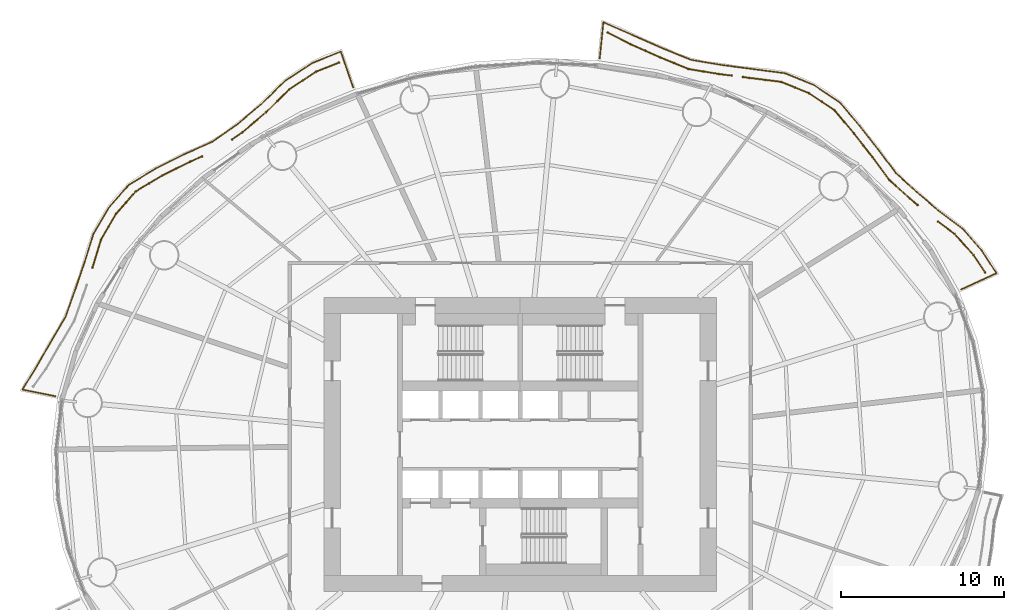
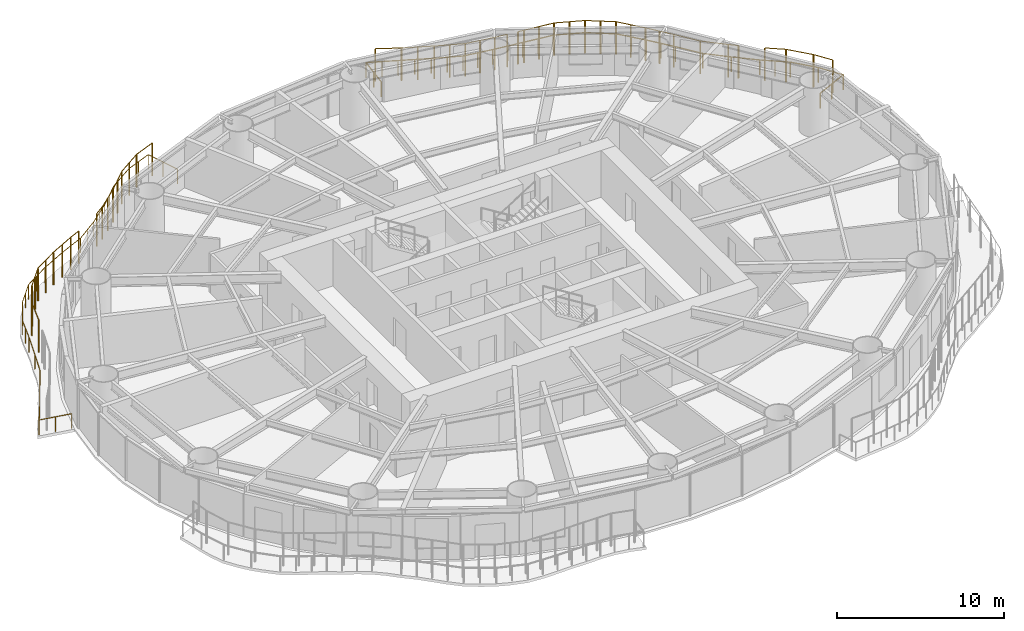
# One storey, part 16 of 16: 7 railings.
"""IFC4 building model written with IfcOpenShell, lengths in metres."""

from ifc_helpers import new_model, si_unit, direction, frame, origin, origin_2d, place, context, subcontext, project, spatial, circle, extrude, material, type_object, element, save


model = new_model("IFC4")

# Units and contexts
model_context = context("Model", 3, precision=1e-05, world=origin(), true_north=direction((0.0, 1.0)))
body_context = subcontext(model_context, "Body", "Model", "MODEL_VIEW")
ifc_project = project(units=[si_unit("LENGTHUNIT", "METRE"), si_unit("AREAUNIT", "SQUARE_METRE"), si_unit("VOLUMEUNIT", "CUBIC_METRE"), si_unit("PLANEANGLEUNIT", "RADIAN"), si_unit("MASSUNIT", "GRAM", prefix="KILO")], contexts=[model_context])

# Site, building, storey
site_placement = place(None, origin())
site = spatial("IfcSite", under=ifc_project, at=site_placement, CompositionType="ELEMENT")
building_placement = place(site_placement, origin())
building = spatial("IfcBuilding", under=site, at=building_placement, Name="Vermilion Reach Broadcast Tower", CompositionType="ELEMENT")
storey_placement = place(building_placement, frame((0.0, 0.0, 61.89990234375)))
storey = spatial("IfcBuildingStorey", under=building, at=storey_placement, Name="L12", CompositionType="ELEMENT", Elevation=61.89990234375)

# Railings
ifc_material_1 = material(Name="Terracotta baguette", Category="masonry")
railing_type_1 = type_object("IfcRailingType", Name="BAGUETTE SCREEN", PredefinedType="USERDEFINED", material=ifc_material_1)
railing_1_placement = place(storey_placement, frame((22.439453125, 10.52392578125, 0.0)))
element("IfcRailing", 1, at=railing_1_placement, inside=storey, type_object=railing_type_1, Name="Baguette screen L12 group 1 part 1", ObjectType="BAGUETTE SCREEN", PredefinedType="USERDEFINED", context=body_context, shape_type="SweptSolid", body=[
    extrude(circle(Radius=0.030029296875, at=origin_2d()), frame((0.0, 0.0, 2.369873046875), z_axis=(-0.558856300905, 0.829264514458, 0.0), x_axis=(-0.829264514458, -0.558856300905, 0.0)), (0.0, 0.0, 1.0), 1.28564453125),
    extrude(circle(Radius=0.030029296875, at=origin_2d()), frame((-0.718505859375, 1.066162109375, 2.369873046875), z_axis=(-0.664565199581, 0.747230282781, 0.0), x_axis=(-0.747230282781, -0.664565199581, 0.0)), (0.0, 0.0, 1.0), 1.730712890625),
    extrude(circle(Radius=0.030029296875, at=origin_2d()), frame((-1.86865234375, 2.359375, 2.369873046875), z_axis=(-0.803369086588, 0.59548141089, 0.0), x_axis=(-0.59548141089, -0.803369086588, 0.0)), (0.0, 0.0, 1.0), 1.264892578125),
    extrude(circle(Radius=0.050048828125, at=origin_2d()), origin(), (0.0, 0.0, 1.0), 2.33984375),
    extrude(circle(Radius=0.050048828125, at=origin_2d()), frame((-0.718505859375, 1.066162109375, 0.0)), (0.0, 0.0, 1.0), 2.33984375),
    extrude(circle(Radius=0.050048828125, at=origin_2d()), frame((-1.86865234375, 2.359375, 0.0)), (0.0, 0.0, 1.0), 2.33984375),
    extrude(circle(Radius=0.050048828125, at=origin_2d()), frame((-2.884765625, 3.112548828125, 0.0)), (0.0, 0.0, 1.0), 2.33984375),
])
railing_2_placement = place(storey_placement, frame((18.31201171875, 14.642578125, 0.0)))
element("IfcRailing", 2, at=railing_2_placement, inside=storey, type_object=railing_type_1, Name="Baguette screen L12 group 1 part 2", ObjectType="BAGUETTE SCREEN", PredefinedType="USERDEFINED", context=body_context, shape_type="SweptSolid", body=[
    extrude(circle(Radius=0.030029296875, at=origin_2d()), frame((0.0, 0.0, 2.369873046875), z_axis=(-0.763862282731, 0.645379278425, 0.0), x_axis=(-0.645379278425, -0.763862282731, 0.0)), (0.0, 0.0, 1.0), 0.622314453125),
    extrude(circle(Radius=0.030029296875, at=origin_2d()), frame((-0.475341796875, 0.401611328125, 2.369873046875), z_axis=(-0.74182147323, 0.670597421599, 0.0), x_axis=(-0.670597421599, -0.74182147323, 0.0)), (0.0, 0.0, 1.0), 1.7001953125),
    extrude(circle(Radius=0.030029296875, at=origin_2d()), frame((-1.736572265625, 1.541748046875, 2.369873046875), z_axis=(-0.595059324519, 0.803681778009, 0.0), x_axis=(-0.803681778009, -0.595059324519, 0.0)), (0.0, 0.0, 1.0), 1.735595703125),
    extrude(circle(Radius=0.030029296875, at=origin_2d()), frame((-2.769287109375, 2.9365234375, 2.369873046875), z_axis=(-0.61590383558, 0.787821340989, 0.0), x_axis=(-0.787821340989, -0.61590383558, 0.0)), (0.0, 0.0, 1.0), 1.823486328125),
    extrude(circle(Radius=0.030029296875, at=origin_2d()), frame((-3.892333984375, 4.373046875, 2.369873046875), z_axis=(-0.641469850719, 0.767148245529, 0.0), x_axis=(-0.767148245529, -0.641469850719, 0.0)), (0.0, 0.0, 1.0), 1.866943359375),
    extrude(circle(Radius=0.030029296875, at=origin_2d()), frame((-5.08984375, 5.80517578125, 2.369873046875), z_axis=(-0.830495521261, 0.557025303883, 0.0), x_axis=(-0.557025303883, -0.830495521261, 0.0)), (0.0, 0.0, 1.0), 1.864013671875),
    extrude(circle(Radius=0.030029296875, at=origin_2d()), frame((-6.637939453125, 6.843505859375, 2.369873046875), z_axis=(-0.926683706529, 0.375842131824, 0.0), x_axis=(-0.375842131824, -0.926683706529, 0.0)), (0.0, 0.0, 1.0), 1.861083984375),
    extrude(circle(Radius=0.030029296875, at=origin_2d()), frame((-8.362548828125, 7.54296875, 2.369873046875), z_axis=(-0.992181480113, 0.124803487614, 0.0), x_axis=(-0.124803487614, -0.992181480113, 0.0)), (0.0, 0.0, 1.0), 1.954345703125),
    extrude(circle(Radius=0.030029296875, at=origin_2d()), frame((-10.301513671875, 7.786865234375, 2.369873046875), z_axis=(-0.992181088968, 0.124806597158, 0.0), x_axis=(-0.124806597158, -0.992181088968, 0.0)), (0.0, 0.0, 1.0), 0.38916015625),
    extrude(circle(Radius=0.050048828125, at=origin_2d()), origin(), (0.0, 0.0, 1.0), 2.33984375),
    extrude(circle(Radius=0.050048828125, at=origin_2d()), frame((-0.475341796875, 0.401611328125, 0.0)), (0.0, 0.0, 1.0), 2.33984375),
    extrude(circle(Radius=0.050048828125, at=origin_2d()), frame((-1.736572265625, 1.541748046875, 0.0)), (0.0, 0.0, 1.0), 2.33984375),
    extrude(circle(Radius=0.050048828125, at=origin_2d()), frame((-2.769287109375, 2.9365234375, 0.0)), (0.0, 0.0, 1.0), 2.33984375),
    extrude(circle(Radius=0.050048828125, at=origin_2d()), frame((-3.330810546875, 3.65478515625, 0.0)), (0.0, 0.0, 1.0), 2.33984375),
    extrude(circle(Radius=0.050048828125, at=origin_2d()), frame((-3.892333984375, 4.373046875, 0.0)), (0.0, 0.0, 1.0), 2.33984375),
    extrude(circle(Radius=0.050048828125, at=origin_2d()), frame((-4.4912109375, 5.089111328125, 0.0)), (0.0, 0.0, 1.0), 2.33984375),
    extrude(circle(Radius=0.050048828125, at=origin_2d()), frame((-5.08984375, 5.80517578125, 0.0)), (0.0, 0.0, 1.0), 2.33984375),
    extrude(circle(Radius=0.050048828125, at=origin_2d()), frame((-5.86376953125, 6.32421875, 0.0)), (0.0, 0.0, 1.0), 2.33984375),
    extrude(circle(Radius=0.050048828125, at=origin_2d()), frame((-6.637939453125, 6.843505859375, 0.0)), (0.0, 0.0, 1.0), 2.33984375),
    extrude(circle(Radius=0.050048828125, at=origin_2d()), frame((-7.500244140625, 7.193359375, 0.0)), (0.0, 0.0, 1.0), 2.33984375),
    extrude(circle(Radius=0.050048828125, at=origin_2d()), frame((-8.362548828125, 7.54296875, 0.0)), (0.0, 0.0, 1.0), 2.33984375),
    extrude(circle(Radius=0.050048828125, at=origin_2d()), frame((-9.33203125, 7.6650390625, 0.0)), (0.0, 0.0, 1.0), 2.33984375),
    extrude(circle(Radius=0.050048828125, at=origin_2d()), frame((-10.301513671875, 7.786865234375, 0.0)), (0.0, 0.0, 1.0), 2.33984375),
    extrude(circle(Radius=0.050048828125, at=origin_2d()), frame((-10.687744140625, 7.83544921875, 0.0)), (0.0, 0.0, 1.0), 2.33984375),
])
railing_3_placement = place(storey_placement, frame((6.932861328125, 22.565185546875, 0.0)))
element("IfcRailing", 3, at=railing_3_placement, inside=storey, type_object=railing_type_1, Name="Baguette screen L12 group 1 part 3", ObjectType="BAGUETTE SCREEN", PredefinedType="USERDEFINED", context=body_context, shape_type="SweptSolid", body=[
    extrude(circle(Radius=0.030029296875, at=origin_2d()), frame((0.0, 0.0, 2.369873046875), z_axis=(-0.992141794068, 0.1251185856, 0.0), x_axis=(-0.1251185856, -0.992141794068, 0.0)), (0.0, 0.0, 1.0), 0.803955078125),
    extrude(circle(Radius=0.030029296875, at=origin_2d()), frame((-0.797607421875, 0.1005859375, 2.369873046875), z_axis=(-0.986537935222, 0.163532572805, 0.0), x_axis=(-0.163532572805, -0.986537935222, 0.0)), (0.0, 0.0, 1.0), 1.87353515625),
    extrude(circle(Radius=0.030029296875, at=origin_2d()), frame((-2.64599609375, 0.406982421875, 2.369873046875), z_axis=(-0.925269242185, 0.379310993073, 0.0), x_axis=(-0.379310993073, -0.925269242185, 0.0)), (0.0, 0.0, 1.0), 1.878173828125),
    extrude(circle(Radius=0.030029296875, at=origin_2d()), frame((-4.3837890625, 1.119384765625, 2.369873046875), z_axis=(-0.912690113777, 0.408652365972, 0.0), x_axis=(-0.408652365972, -0.912690113777, 0.0)), (0.0, 0.0, 1.0), 1.963134765625),
    extrude(circle(Radius=0.030029296875, at=origin_2d()), frame((-6.175537109375, 1.921630859375, 2.369873046875), z_axis=(-0.89124508085, 0.453522001517, 0.0), x_axis=(-0.453522001517, -0.89124508085, 0.0)), (0.0, 0.0, 1.0), 1.576171875),
    extrude(circle(Radius=0.050048828125, at=origin_2d()), origin(), (0.0, 0.0, 1.0), 2.33984375),
    extrude(circle(Radius=0.050048828125, at=origin_2d()), frame((-0.797607421875, 0.1005859375, 0.0)), (0.0, 0.0, 1.0), 2.33984375),
    extrude(circle(Radius=0.050048828125, at=origin_2d()), frame((-1.7216796875, 0.25390625, 0.0)), (0.0, 0.0, 1.0), 2.33984375),
    extrude(circle(Radius=0.050048828125, at=origin_2d()), frame((-2.64599609375, 0.406982421875, 0.0)), (0.0, 0.0, 1.0), 2.33984375),
    extrude(circle(Radius=0.050048828125, at=origin_2d()), frame((-3.514892578125, 0.76318359375, 0.0)), (0.0, 0.0, 1.0), 2.33984375),
    extrude(circle(Radius=0.050048828125, at=origin_2d()), frame((-4.3837890625, 1.119384765625, 0.0)), (0.0, 0.0, 1.0), 2.33984375),
    extrude(circle(Radius=0.050048828125, at=origin_2d()), frame((-5.27978515625, 1.5205078125, 0.0)), (0.0, 0.0, 1.0), 2.33984375),
    extrude(circle(Radius=0.050048828125, at=origin_2d()), frame((-6.175537109375, 1.921630859375, 0.0)), (0.0, 0.0, 1.0), 2.33984375),
    extrude(circle(Radius=0.050048828125, at=origin_2d()), frame((-7.580322265625, 2.636474609375, 0.0)), (0.0, 0.0, 1.0), 2.33984375),
])
railing_4_placement = place(storey_placement, frame((-17.095703125, 23.360107421875, 0.0)))
element("IfcRailing", 4, at=railing_4_placement, inside=storey, type_object=railing_type_1, Name="Baguette screen L12 group 2 part 1", ObjectType="BAGUETTE SCREEN", PredefinedType="USERDEFINED", context=body_context, shape_type="SweptSolid", body=[
    extrude(circle(Radius=0.030029296875, at=origin_2d()), frame((0.0, 0.0, 2.369873046875), z_axis=(-0.929247476399, -0.369457883399, 0.0), x_axis=(0.369457883399, -0.929247476399, 0.0)), (0.0, 0.0, 1.0), 1.50341796875),
    extrude(circle(Radius=0.030029296875, at=origin_2d()), frame((-1.39697265625, -0.555419921875, 2.369873046875), z_axis=(-0.833873570544, -0.551955494898, 0.0), x_axis=(0.551955494898, -0.833873570544, 0.0)), (0.0, 0.0, 1.0), 1.97265625),
    extrude(circle(Radius=0.030029296875, at=origin_2d()), frame((-3.0419921875, -1.644287109375, 2.369873046875), z_axis=(-0.711833969104, -0.702347777408, 0.0), x_axis=(0.702347777408, -0.711833969104, 0.0)), (0.0, 0.0, 1.0), 1.981689453125),
    extrude(circle(Radius=0.030029296875, at=origin_2d()), frame((-4.45263671875, -3.0361328125, 2.369873046875), z_axis=(-0.764178241333, -0.645005128254, 0.0), x_axis=(0.645005128254, -0.764178241333, 0.0)), (0.0, 0.0, 1.0), 1.892822265625),
    extrude(circle(Radius=0.030029296875, at=origin_2d()), frame((-5.899169921875, -4.257080078125, 2.369873046875), z_axis=(-0.817346388578, -0.576146579507, 0.0), x_axis=(0.576146579507, -0.817346388578, 0.0)), (0.0, 0.0, 1.0), 0.768310546875),
    extrude(circle(Radius=0.050048828125, at=origin_2d()), origin(), (0.0, 0.0, 1.0), 2.33984375),
    extrude(circle(Radius=0.050048828125, at=origin_2d()), frame((-1.39697265625, -0.555419921875, 0.0)), (0.0, 0.0, 1.0), 2.33984375),
    extrude(circle(Radius=0.050048828125, at=origin_2d()), frame((-2.219482421875, -1.099853515625, 0.0)), (0.0, 0.0, 1.0), 2.33984375),
    extrude(circle(Radius=0.050048828125, at=origin_2d()), frame((-3.0419921875, -1.644287109375, 0.0)), (0.0, 0.0, 1.0), 2.33984375),
    extrude(circle(Radius=0.050048828125, at=origin_2d()), frame((-3.747314453125, -2.34033203125, 0.0)), (0.0, 0.0, 1.0), 2.33984375),
    extrude(circle(Radius=0.050048828125, at=origin_2d()), frame((-4.45263671875, -3.0361328125, 0.0)), (0.0, 0.0, 1.0), 2.33984375),
    extrude(circle(Radius=0.050048828125, at=origin_2d()), frame((-5.17578125, -3.646484375, 0.0)), (0.0, 0.0, 1.0), 2.33984375),
    extrude(circle(Radius=0.050048828125, at=origin_2d()), frame((-5.899169921875, -4.257080078125, 0.0)), (0.0, 0.0, 1.0), 2.33984375),
    extrude(circle(Radius=0.050048828125, at=origin_2d()), frame((-6.527099609375, -4.69970703125, 0.0)), (0.0, 0.0, 1.0), 2.33984375),
])
railing_5_placement = place(storey_placement, frame((-25.462158203125, 17.62353515625, 0.0)))
element("IfcRailing", 5, at=railing_5_placement, inside=storey, type_object=railing_type_1, Name="Baguette screen L12 group 2 part 2", ObjectType="BAGUETTE SCREEN", PredefinedType="USERDEFINED", context=body_context, shape_type="SweptSolid", body=[
    extrude(circle(Radius=0.030029296875, at=origin_2d()), frame((0.0, 0.0, 2.369873046875), z_axis=(-0.915195254678, -0.403010726674, 0.0), x_axis=(0.403010726674, -0.915195254678, 0.0)), (0.0, 0.0, 1.0), 0.811767578125),
    extrude(circle(Radius=0.030029296875, at=origin_2d()), frame((-0.742919921875, -0.3271484375, 2.369873046875), z_axis=(-0.8958286056, -0.444399718035, 0.0), x_axis=(0.444399718035, -0.8958286056, 0.0)), (0.0, 0.0, 1.0), 1.87548828125),
    extrude(circle(Radius=0.030029296875, at=origin_2d()), frame((-2.423095703125, -1.16064453125, 2.369873046875), z_axis=(-0.85811524149, -0.513457137765, 0.0), x_axis=(0.513457137765, -0.85811524149, 0.0)), (0.0, 0.0, 1.0), 1.90185546875),
    extrude(circle(Radius=0.030029296875, at=origin_2d()), frame((-4.05517578125, -2.13720703125, 2.369873046875), z_axis=(-0.659083872996, -0.75206944384, 0.0), x_axis=(0.75206944384, -0.659083872996, 0.0)), (0.0, 0.0, 1.0), 1.819580078125),
    extrude(circle(Radius=0.030029296875, at=origin_2d()), frame((-5.25439453125, -3.505615234375, 2.369873046875), z_axis=(-0.505087300925, -0.863068258276, 0.0), x_axis=(0.863068258276, -0.505087300925, 0.0)), (0.0, 0.0, 1.0), 1.833984375),
    extrude(circle(Radius=0.030029296875, at=origin_2d()), frame((-6.1806640625, -5.08837890625, 2.369873046875), z_axis=(-0.291700565224, -0.956509686437, 0.0), x_axis=(0.956509686437, -0.291700565224, 0.0)), (0.0, 0.0, 1.0), 1.784423828125),
    extrude(circle(Radius=0.050048828125, at=origin_2d()), origin(), (0.0, 0.0, 1.0), 2.33984375),
    extrude(circle(Radius=0.050048828125, at=origin_2d()), frame((-0.742919921875, -0.3271484375, 0.0)), (0.0, 0.0, 1.0), 2.33984375),
    extrude(circle(Radius=0.050048828125, at=origin_2d()), frame((-1.5830078125, -0.743896484375, 0.0)), (0.0, 0.0, 1.0), 2.33984375),
    extrude(circle(Radius=0.050048828125, at=origin_2d()), frame((-2.423095703125, -1.16064453125, 0.0)), (0.0, 0.0, 1.0), 2.33984375),
    extrude(circle(Radius=0.050048828125, at=origin_2d()), frame((-3.2392578125, -1.64892578125, 0.0)), (0.0, 0.0, 1.0), 2.33984375),
    extrude(circle(Radius=0.050048828125, at=origin_2d()), frame((-4.05517578125, -2.13720703125, 0.0)), (0.0, 0.0, 1.0), 2.33984375),
    extrude(circle(Radius=0.050048828125, at=origin_2d()), frame((-4.65478515625, -2.8212890625, 0.0)), (0.0, 0.0, 1.0), 2.33984375),
    extrude(circle(Radius=0.050048828125, at=origin_2d()), frame((-5.25439453125, -3.505615234375, 0.0)), (0.0, 0.0, 1.0), 2.33984375),
    extrude(circle(Radius=0.050048828125, at=origin_2d()), frame((-5.717529296875, -4.296875, 0.0)), (0.0, 0.0, 1.0), 2.33984375),
    extrude(circle(Radius=0.050048828125, at=origin_2d()), frame((-6.1806640625, -5.08837890625, 0.0)), (0.0, 0.0, 1.0), 2.33984375),
    extrude(circle(Radius=0.050048828125, at=origin_2d()), frame((-6.701171875, -6.795166015625, 0.0)), (0.0, 0.0, 1.0), 2.33984375),
])
ifc_material_2 = material(Name="Stainless steel 316 balustrade", Category="steel")
railing_type_2 = type_object("IfcRailingType", Name="Balcony guard 1100", PredefinedType="BALUSTRADE", material=ifc_material_2)
railing_6_placement = place(storey_placement, frame((20.9638671875, 9.47998046875, 0.0)))
element("IfcRailing", 6, at=railing_6_placement, inside=storey, type_object=railing_type_2, Name="Balcony guard L12 group 1", PredefinedType="BALUSTRADE", context=body_context, shape_type="SweptSolid", body=[
    extrude(circle(Radius=0.02490234375, at=origin_2d()), frame((0.0, 0.0, 1.0751953125), z_axis=(0.907851389879, 0.419292086612, 0.0), x_axis=(-0.419292086612, 0.907851389879, 0.0)), (0.0, 0.0, 1.0), 2.382568359375),
    extrude(circle(Radius=0.02490234375, at=origin_2d()), frame((2.1630859375, 0.9990234375, 1.0751953125), z_axis=(-0.542281006063, 0.840197185465, 0.0), x_axis=(-0.840197185465, -0.542281006063, 0.0)), (0.0, 0.0, 1.0), 1.659423828125),
    extrude(circle(Radius=0.02490234375, at=origin_2d()), frame((1.26318359375, 2.393310546875, 1.0751953125), z_axis=(-0.661229882006, 0.750183339686, 0.0), x_axis=(-0.750183339686, -0.661229882006, 0.0)), (0.0, 0.0, 1.0), 1.77294921875),
    extrude(circle(Radius=0.02490234375, at=origin_2d()), frame((0.0908203125, 3.723388671875, 1.0751953125), z_axis=(-0.799167542734, 0.601108341849, 0.0), x_axis=(-0.601108341849, -0.799167542734, 0.0)), (0.0, 0.0, 1.0), 1.831787109375),
    extrude(circle(Radius=0.02490234375, at=origin_2d()), frame((-1.373046875, 4.824462890625, 1.0751953125), z_axis=(-0.7611584158, 0.648566007479, 0.0), x_axis=(-0.648566007479, -0.7611584158, 0.0)), (0.0, 0.0, 1.0), 1.73681640625),
    extrude(circle(Radius=0.02490234375, at=origin_2d()), frame((-2.695068359375, 5.950927734375, 1.0751953125), z_axis=(-0.740688206119, 0.671848927451, 0.0), x_axis=(-0.671848927451, -0.740688206119, 0.0)), (0.0, 0.0, 1.0), 1.741455078125),
    extrude(circle(Radius=0.02490234375, at=origin_2d()), frame((-3.98486328125, 7.120849609375, 1.0751953125), z_axis=(-0.598523658135, 0.801105130836, 0.0), x_axis=(-0.801105130836, -0.598523658135, 0.0)), (0.0, 0.0, 1.0), 1.77392578125),
    extrude(circle(Radius=0.02490234375, at=origin_2d()), frame((-5.046630859375, 8.5419921875, 1.0751953125), z_axis=(-0.61986960735, 0.784704829782, 0.0), x_axis=(-0.784704829782, -0.61986960735, 0.0)), (0.0, 0.0, 1.0), 1.86181640625),
    extrude(circle(Radius=0.02490234375, at=origin_2d()), frame((-6.20068359375, 10.0029296875, 1.0751953125), z_axis=(-0.645407156404, 0.763838728046, 0.0), x_axis=(-0.763838728046, -0.645407156404, 0.0)), (0.0, 0.0, 1.0), 1.90283203125),
    extrude(circle(Radius=0.02490234375, at=origin_2d()), frame((-7.4287109375, 11.456298828125, 1.0751953125), z_axis=(-0.831140352422, 0.55606268943, 0.0), x_axis=(-0.55606268943, -0.831140352422, 0.0)), (0.0, 0.0, 1.0), 1.901123046875),
    extrude(circle(Radius=0.02490234375, at=origin_2d()), frame((-9.0087890625, 12.513427734375, 1.0751953125), z_axis=(-0.926024036868, 0.377464545544, 0.0), x_axis=(-0.377464545544, -0.926024036868, 0.0)), (0.0, 0.0, 1.0), 1.896484375),
    extrude(circle(Radius=0.02490234375, at=origin_2d()), frame((-10.764892578125, 13.229248046875, 1.0751953125), z_axis=(-0.991541423271, 0.129790623455, 0.0), x_axis=(-0.129790623455, -0.991541423271, 0.0)), (0.0, 0.0, 1.0), 1.98828125),
    extrude(circle(Radius=0.02490234375, at=origin_2d()), frame((-12.736328125, 13.4873046875, 1.0751953125), z_axis=(-0.991646363759, 0.128986391701, 0.0), x_axis=(-0.128986391701, -0.991646363759, 0.0)), (0.0, 0.0, 1.0), 1.923095703125),
    extrude(circle(Radius=0.02490234375, at=origin_2d()), frame((-14.643310546875, 13.7353515625, 1.0751953125), z_axis=(-0.986161117693, 0.165789776374, 0.0), x_axis=(-0.165789776374, -0.986161117693, 0.0)), (0.0, 0.0, 1.0), 1.906982421875),
    extrude(circle(Radius=0.02490234375, at=origin_2d()), frame((-16.52392578125, 14.051513671875, 1.0751953125), z_axis=(-0.926239455814, 0.376935631763, 0.0), x_axis=(-0.376935631763, -0.926239455814, 0.0)), (0.0, 0.0, 1.0), 1.91064453125),
    extrude(circle(Radius=0.02490234375, at=origin_2d()), frame((-18.293701171875, 14.771728515625, 1.0751953125), z_axis=(-0.914239971191, 0.405173142098, 0.0), x_axis=(-0.405173142098, -0.914239971191, 0.0)), (0.0, 0.0, 1.0), 1.9951171875),
    extrude(circle(Radius=0.02490234375, at=origin_2d()), frame((-20.11767578125, 15.580078125, 1.0751953125), z_axis=(-0.916477591981, 0.400086019996, 0.0), x_axis=(-0.400086019996, -0.916477591981, 0.0)), (0.0, 0.0, 1.0), 1.9228515625),
    extrude(circle(Radius=0.02490234375, at=origin_2d()), frame((-21.8798828125, 16.349365234375, 1.0751953125), z_axis=(-0.09903574207, -0.995083876762, 0.0), x_axis=(0.995083876762, -0.09903574207, 0.0)), (0.0, 0.0, 1.0), 2.22119140625),
    extrude(circle(Radius=0.02490234375, at=origin_2d()), origin(), (0.0, 0.0, 1.0), 1.050048828125),
    extrude(circle(Radius=0.02490234375, at=origin_2d()), frame((1.08154296875, 0.49951171875, 0.0)), (0.0, 0.0, 1.0), 1.050048828125),
    extrude(circle(Radius=0.02490234375, at=origin_2d()), frame((2.1630859375, 0.9990234375, 0.0)), (0.0, 0.0, 1.0), 1.050048828125),
    extrude(circle(Radius=0.02490234375, at=origin_2d()), frame((1.26318359375, 2.393310546875, 0.0)), (0.0, 0.0, 1.0), 1.050048828125),
    extrude(circle(Radius=0.02490234375, at=origin_2d()), frame((0.0908203125, 3.723388671875, 0.0)), (0.0, 0.0, 1.0), 1.050048828125),
    extrude(circle(Radius=0.02490234375, at=origin_2d()), frame((-0.64111328125, 4.27392578125, 0.0)), (0.0, 0.0, 1.0), 1.050048828125),
    extrude(circle(Radius=0.02490234375, at=origin_2d()), frame((-1.373046875, 4.824462890625, 0.0)), (0.0, 0.0, 1.0), 1.050048828125),
    extrude(circle(Radius=0.02490234375, at=origin_2d()), frame((-2.695068359375, 5.950927734375, 0.0)), (0.0, 0.0, 1.0), 1.050048828125),
    extrude(circle(Radius=0.02490234375, at=origin_2d()), frame((-3.98486328125, 7.120849609375, 0.0)), (0.0, 0.0, 1.0), 1.050048828125),
    extrude(circle(Radius=0.02490234375, at=origin_2d()), frame((-5.046630859375, 8.5419921875, 0.0)), (0.0, 0.0, 1.0), 1.050048828125),
    extrude(circle(Radius=0.02490234375, at=origin_2d()), frame((-5.62353515625, 9.2724609375, 0.0)), (0.0, 0.0, 1.0), 1.050048828125),
    extrude(circle(Radius=0.02490234375, at=origin_2d()), frame((-6.20068359375, 10.0029296875, 0.0)), (0.0, 0.0, 1.0), 1.050048828125),
    extrude(circle(Radius=0.02490234375, at=origin_2d()), frame((-6.814697265625, 10.7294921875, 0.0)), (0.0, 0.0, 1.0), 1.050048828125),
    extrude(circle(Radius=0.02490234375, at=origin_2d()), frame((-7.4287109375, 11.456298828125, 0.0)), (0.0, 0.0, 1.0), 1.050048828125),
    extrude(circle(Radius=0.02490234375, at=origin_2d()), frame((-8.21875, 11.98486328125, 0.0)), (0.0, 0.0, 1.0), 1.050048828125),
    extrude(circle(Radius=0.02490234375, at=origin_2d()), frame((-9.0087890625, 12.513427734375, 0.0)), (0.0, 0.0, 1.0), 1.050048828125),
    extrude(circle(Radius=0.02490234375, at=origin_2d()), frame((-9.88671875, 12.871337890625, 0.0)), (0.0, 0.0, 1.0), 1.050048828125),
    extrude(circle(Radius=0.02490234375, at=origin_2d()), frame((-10.764892578125, 13.229248046875, 0.0)), (0.0, 0.0, 1.0), 1.050048828125),
    extrude(circle(Radius=0.02490234375, at=origin_2d()), frame((-11.75048828125, 13.3583984375, 0.0)), (0.0, 0.0, 1.0), 1.050048828125),
    extrude(circle(Radius=0.02490234375, at=origin_2d()), frame((-12.736328125, 13.4873046875, 0.0)), (0.0, 0.0, 1.0), 1.050048828125),
    extrude(circle(Radius=0.02490234375, at=origin_2d()), frame((-13.68994140625, 13.611328125, 0.0)), (0.0, 0.0, 1.0), 1.050048828125),
    extrude(circle(Radius=0.02490234375, at=origin_2d()), frame((-14.643310546875, 13.7353515625, 0.0)), (0.0, 0.0, 1.0), 1.050048828125),
    extrude(circle(Radius=0.02490234375, at=origin_2d()), frame((-15.58349609375, 13.8935546875, 0.0)), (0.0, 0.0, 1.0), 1.050048828125),
    extrude(circle(Radius=0.02490234375, at=origin_2d()), frame((-16.52392578125, 14.051513671875, 0.0)), (0.0, 0.0, 1.0), 1.050048828125),
    extrude(circle(Radius=0.02490234375, at=origin_2d()), frame((-17.40869140625, 14.41162109375, 0.0)), (0.0, 0.0, 1.0), 1.050048828125),
    extrude(circle(Radius=0.02490234375, at=origin_2d()), frame((-18.293701171875, 14.771728515625, 0.0)), (0.0, 0.0, 1.0), 1.050048828125),
    extrude(circle(Radius=0.02490234375, at=origin_2d()), frame((-19.20556640625, 15.17578125, 0.0)), (0.0, 0.0, 1.0), 1.050048828125),
    extrude(circle(Radius=0.02490234375, at=origin_2d()), frame((-20.11767578125, 15.580078125, 0.0)), (0.0, 0.0, 1.0), 1.050048828125),
    extrude(circle(Radius=0.02490234375, at=origin_2d()), frame((-20.998779296875, 15.96484375, 0.0)), (0.0, 0.0, 1.0), 1.050048828125),
    extrude(circle(Radius=0.02490234375, at=origin_2d()), frame((-21.8798828125, 16.349365234375, 0.0)), (0.0, 0.0, 1.0), 1.050048828125),
    extrude(circle(Radius=0.02490234375, at=origin_2d()), frame((-21.98974609375, 15.244140625, 0.0)), (0.0, 0.0, 1.0), 1.050048828125),
    extrude(circle(Radius=0.02490234375, at=origin_2d()), frame((-22.099853515625, 14.13916015625, 0.0)), (0.0, 0.0, 1.0), 1.050048828125),
])
railing_7_placement = place(storey_placement, frame((-16.220703125, 21.841796875, 0.0)))
element("IfcRailing", 7, at=railing_7_placement, inside=storey, type_object=railing_type_2, Name="Balcony guard L12 group 2", PredefinedType="BALUSTRADE", context=body_context, shape_type="SweptSolid", body=[
    extrude(circle(Radius=0.02490234375, at=origin_2d()), frame((0.0, 0.0, 1.0751953125), z_axis=(-0.327479314, 0.944858348591, 0.0), x_axis=(-0.944858348591, -0.327479314, 0.0)), (0.0, 0.0, 1.0), 2.3193359375),
    extrude(circle(Radius=0.02490234375, at=origin_2d()), frame((-0.759521484375, 2.19140625, 1.0751953125), z_axis=(-0.928702201025, -0.370826403876, 0.0), x_axis=(0.370826403876, -0.928702201025, 0.0)), (0.0, 0.0, 1.0), 1.865234375),
    extrude(circle(Radius=0.02490234375, at=origin_2d()), frame((-2.49169921875, 1.499755859375, 1.0751953125), z_axis=(-0.835350873813, -0.549717125093, 0.0), x_axis=(0.549717125093, -0.835350873813, 0.0)), (0.0, 0.0, 1.0), 2.005126953125),
    extrude(circle(Radius=0.02490234375, at=origin_2d()), frame((-4.166748046875, 0.3974609375, 1.0751953125), z_axis=(-0.715246450821, -0.69887231637, 0.0), x_axis=(0.69887231637, -0.715246450821, 0.0)), (0.0, 0.0, 1.0), 2.012939453125),
    extrude(circle(Radius=0.02490234375, at=origin_2d()), frame((-5.6064453125, -1.00927734375, 1.0751953125), z_axis=(-0.766129138443, -0.642686660223, 0.0), x_axis=(0.642686660223, -0.766129138443, 0.0)), (0.0, 0.0, 1.0), 1.92626953125),
    extrude(circle(Radius=0.02490234375, at=origin_2d()), frame((-7.082275390625, -2.247314453125, 1.0751953125), z_axis=(-0.817650196105, -0.575715343559, 0.0), x_axis=(0.575715343559, -0.817650196105, 0.0)), (0.0, 0.0, 1.0), 1.852783203125),
    extrude(circle(Radius=0.02490234375, at=origin_2d()), frame((-8.59716796875, -3.31396484375, 1.0751953125), z_axis=(-0.913475232934, -0.406894333722, 0.0), x_axis=(0.406894333722, -0.913475232934, 0.0)), (0.0, 0.0, 1.0), 1.917724609375),
    extrude(circle(Radius=0.02490234375, at=origin_2d()), frame((-10.348876953125, -4.09423828125, 1.0751953125), z_axis=(-0.893761506283, -0.448542495073, 0.0), x_axis=(0.448542495073, -0.893761506283, 0.0)), (0.0, 0.0, 1.0), 1.909912109375),
    extrude(circle(Radius=0.02490234375, at=origin_2d()), frame((-12.055908203125, -4.950927734375, 1.0751953125), z_axis=(-0.855843516175, -0.51723483624, 0.0), x_axis=(0.51723483624, -0.855843516175, 0.0)), (0.0, 0.0, 1.0), 1.93798828125),
    extrude(circle(Radius=0.02490234375, at=origin_2d()), frame((-13.714599609375, -5.953369140625, 1.0751953125), z_axis=(-0.659370015461, -0.751818583643, 0.0), x_axis=(0.751818583643, -0.659370015461, 0.0)), (0.0, 0.0, 1.0), 1.8564453125),
    extrude(circle(Radius=0.02490234375, at=origin_2d()), frame((-14.938720703125, -7.34912109375, 1.0751953125), z_axis=(-0.507481499122, -0.861662653275, 0.0), x_axis=(0.861662653275, -0.507481499122, 0.0)), (0.0, 0.0, 1.0), 1.872802734375),
    extrude(circle(Radius=0.02490234375, at=origin_2d()), frame((-15.88916015625, -8.962890625, 1.0751953125), z_axis=(-0.297768615563, -0.95463807361, 0.0), x_axis=(0.95463807361, -0.297768615563, 0.0)), (0.0, 0.0, 1.0), 1.866943359375),
    extrude(circle(Radius=0.02490234375, at=origin_2d()), frame((-16.445068359375, -10.7451171875, 1.0751953125), z_axis=(-0.324946717236, -0.945732325216, 0.0), x_axis=(0.945732325216, -0.324946717236, 0.0)), (0.0, 0.0, 1.0), 1.794921875),
    extrude(circle(Radius=0.02490234375, at=origin_2d()), frame((-17.0283203125, -12.442626953125, 1.0751953125), z_axis=(-0.334066387544, -0.942549547087, 0.0), x_axis=(0.942549547087, -0.334066387544, 0.0)), (0.0, 0.0, 1.0), 1.7109375),
    extrude(circle(Radius=0.02490234375, at=origin_2d()), frame((-17.599853515625, -14.05517578125, 1.0751953125), z_axis=(-0.509779087769, -0.860305342116, 0.0), x_axis=(0.860305342116, -0.509779087769, 0.0)), (0.0, 0.0, 1.0), 1.72314453125),
    extrude(circle(Radius=0.02490234375, at=origin_2d()), frame((-18.478271484375, -15.53759765625, 1.0751953125), z_axis=(-0.498081597265, -0.867130164661, 0.0), x_axis=(0.867130164661, -0.498081597265, 0.0)), (0.0, 0.0, 1.0), 1.731201171875),
    extrude(circle(Radius=0.02490234375, at=origin_2d()), frame((-19.340576171875, -17.038818359375, 1.0751953125), z_axis=(-0.52399297996, -0.851722582155, 0.0), x_axis=(0.851722582155, -0.52399297996, 0.0)), (0.0, 0.0, 1.0), 1.695556640625),
    extrude(circle(Radius=0.02490234375, at=origin_2d()), frame((-20.22900390625, -18.48291015625, 1.0751953125), z_axis=(0.980430044198, -0.196867794304, 0.0), x_axis=(0.196867794304, 0.980430044198, 0.0)), (0.0, 0.0, 1.0), 2.06103515625),
    extrude(circle(Radius=0.02490234375, at=origin_2d()), origin(), (0.0, 0.0, 1.0), 1.050048828125),
    extrude(circle(Radius=0.02490234375, at=origin_2d()), frame((-0.3798828125, 1.095703125, 0.0)), (0.0, 0.0, 1.0), 1.050048828125),
    extrude(circle(Radius=0.02490234375, at=origin_2d()), frame((-0.759521484375, 2.19140625, 0.0)), (0.0, 0.0, 1.0), 1.050048828125),
    extrude(circle(Radius=0.02490234375, at=origin_2d()), frame((-1.62548828125, 1.845703125, 0.0)), (0.0, 0.0, 1.0), 1.050048828125),
    extrude(circle(Radius=0.02490234375, at=origin_2d()), frame((-2.49169921875, 1.499755859375, 0.0)), (0.0, 0.0, 1.0), 1.050048828125),
    extrude(circle(Radius=0.02490234375, at=origin_2d()), frame((-3.3291015625, 0.94873046875, 0.0)), (0.0, 0.0, 1.0), 1.050048828125),
    extrude(circle(Radius=0.02490234375, at=origin_2d()), frame((-4.166748046875, 0.3974609375, 0.0)), (0.0, 0.0, 1.0), 1.050048828125),
    extrude(circle(Radius=0.02490234375, at=origin_2d()), frame((-4.88671875, -0.305908203125, 0.0)), (0.0, 0.0, 1.0), 1.050048828125),
    extrude(circle(Radius=0.02490234375, at=origin_2d()), frame((-5.6064453125, -1.00927734375, 0.0)), (0.0, 0.0, 1.0), 1.050048828125),
    extrude(circle(Radius=0.02490234375, at=origin_2d()), frame((-6.34423828125, -1.62841796875, 0.0)), (0.0, 0.0, 1.0), 1.050048828125),
    extrude(circle(Radius=0.02490234375, at=origin_2d()), frame((-7.082275390625, -2.247314453125, 0.0)), (0.0, 0.0, 1.0), 1.050048828125),
    extrude(circle(Radius=0.02490234375, at=origin_2d()), frame((-7.83984375, -2.78076171875, 0.0)), (0.0, 0.0, 1.0), 1.050048828125),
    extrude(circle(Radius=0.02490234375, at=origin_2d()), frame((-8.59716796875, -3.31396484375, 0.0)), (0.0, 0.0, 1.0), 1.050048828125),
    extrude(circle(Radius=0.02490234375, at=origin_2d()), frame((-9.47314453125, -3.7041015625, 0.0)), (0.0, 0.0, 1.0), 1.050048828125),
    extrude(circle(Radius=0.02490234375, at=origin_2d()), frame((-10.348876953125, -4.09423828125, 0.0)), (0.0, 0.0, 1.0), 1.050048828125),
    extrude(circle(Radius=0.02490234375, at=origin_2d()), frame((-11.202392578125, -4.5224609375, 0.0)), (0.0, 0.0, 1.0), 1.050048828125),
    extrude(circle(Radius=0.02490234375, at=origin_2d()), frame((-12.055908203125, -4.950927734375, 0.0)), (0.0, 0.0, 1.0), 1.050048828125),
    extrude(circle(Radius=0.02490234375, at=origin_2d()), frame((-12.88525390625, -5.4521484375, 0.0)), (0.0, 0.0, 1.0), 1.050048828125),
    extrude(circle(Radius=0.02490234375, at=origin_2d()), frame((-13.714599609375, -5.953369140625, 0.0)), (0.0, 0.0, 1.0), 1.050048828125),
    extrude(circle(Radius=0.02490234375, at=origin_2d()), frame((-14.32666015625, -6.6513671875, 0.0)), (0.0, 0.0, 1.0), 1.050048828125),
    extrude(circle(Radius=0.02490234375, at=origin_2d()), frame((-14.938720703125, -7.34912109375, 0.0)), (0.0, 0.0, 1.0), 1.050048828125),
    extrude(circle(Radius=0.02490234375, at=origin_2d()), frame((-15.4140625, -8.156005859375, 0.0)), (0.0, 0.0, 1.0), 1.050048828125),
    extrude(circle(Radius=0.02490234375, at=origin_2d()), frame((-15.88916015625, -8.962890625, 0.0)), (0.0, 0.0, 1.0), 1.050048828125),
    extrude(circle(Radius=0.02490234375, at=origin_2d()), frame((-16.1669921875, -9.85400390625, 0.0)), (0.0, 0.0, 1.0), 1.050048828125),
    extrude(circle(Radius=0.02490234375, at=origin_2d()), frame((-16.445068359375, -10.7451171875, 0.0)), (0.0, 0.0, 1.0), 1.050048828125),
    extrude(circle(Radius=0.02490234375, at=origin_2d()), frame((-17.0283203125, -12.442626953125, 0.0)), (0.0, 0.0, 1.0), 1.050048828125),
    extrude(circle(Radius=0.02490234375, at=origin_2d()), frame((-17.599853515625, -14.05517578125, 0.0)), (0.0, 0.0, 1.0), 1.050048828125),
    extrude(circle(Radius=0.02490234375, at=origin_2d()), frame((-18.478271484375, -15.53759765625, 0.0)), (0.0, 0.0, 1.0), 1.050048828125),
    extrude(circle(Radius=0.02490234375, at=origin_2d()), frame((-19.340576171875, -17.038818359375, 0.0)), (0.0, 0.0, 1.0), 1.050048828125),
    extrude(circle(Radius=0.02490234375, at=origin_2d()), frame((-20.22900390625, -18.48291015625, 0.0)), (0.0, 0.0, 1.0), 1.050048828125),
    extrude(circle(Radius=0.02490234375, at=origin_2d()), frame((-19.21875, -18.685791015625, 0.0)), (0.0, 0.0, 1.0), 1.050048828125),
    extrude(circle(Radius=0.02490234375, at=origin_2d()), frame((-18.208251953125, -18.888671875, 0.0)), (0.0, 0.0, 1.0), 1.050048828125),
])

save(model, "model.ifc")
